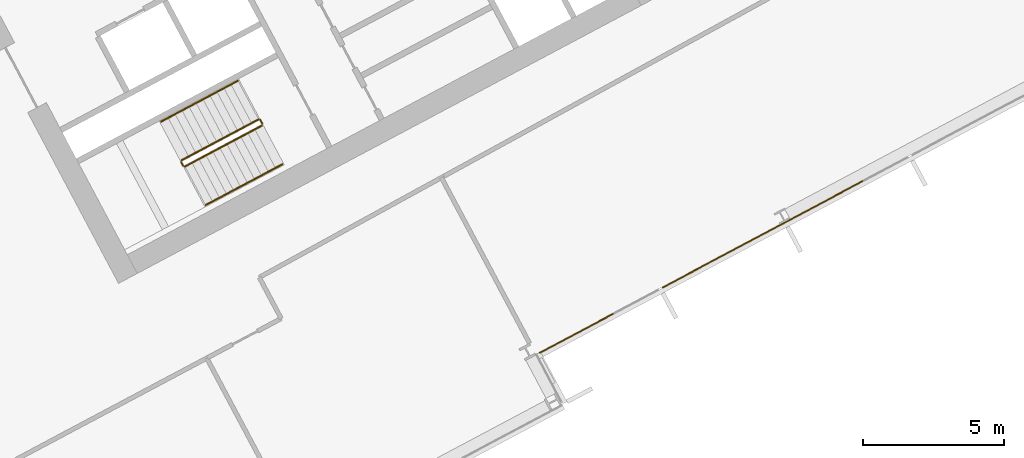
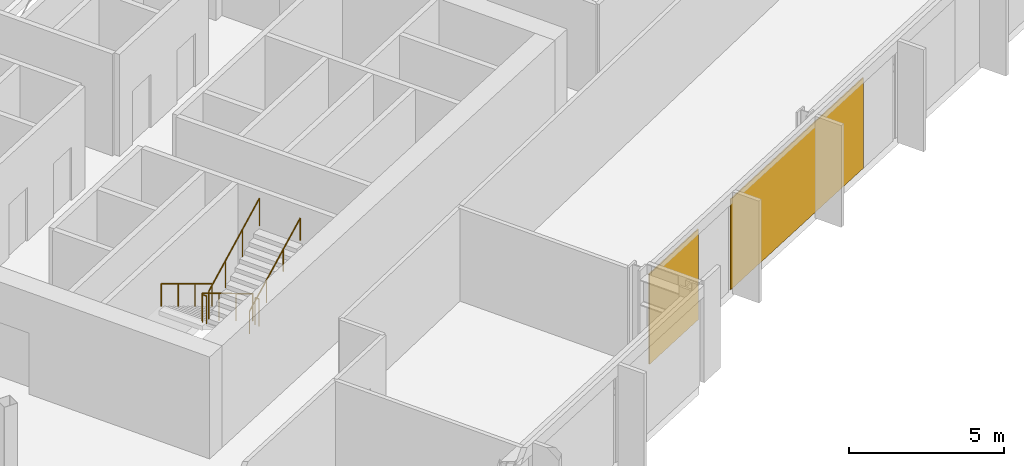
# One storey, part 25 of 28: 6 railings, 2 coverings, 1 element without a shape of its own.
"""IFC4 building model written with IfcOpenShell, lengths in metres."""

from ifc_helpers import new_model, si_unit, direction, frame, origin, origin_2d, place, context, subcontext, project, spatial, polyline, rectangle, outline, extrude, material, layer, layer_set, type_object, element, aggregate, save


model = new_model("IFC4")

# Units and contexts
model_context = context("Model", 3, precision=1e-05, world=origin(), true_north=direction((0.0, 1.0)))
body_context = subcontext(model_context, "Body", "Model", "MODEL_VIEW")
ifc_project = project(units=[si_unit("LENGTHUNIT", "METRE"), si_unit("AREAUNIT", "SQUARE_METRE"), si_unit("VOLUMEUNIT", "CUBIC_METRE"), si_unit("PLANEANGLEUNIT", "RADIAN"), si_unit("MASSUNIT", "GRAM", prefix="KILO")], contexts=[model_context])

# Site, building, storey
site_placement = place(None, origin())
site = spatial("IfcSite", under=ifc_project, at=site_placement, CompositionType="ELEMENT")
building_placement = place(site_placement, origin())
building = spatial("IfcBuilding", under=site, at=building_placement, Name="Cormorant Relay Tower", CompositionType="ELEMENT")
storey_placement = place(building_placement, frame((0.0, 0.0, 170.199951171875)))
storey = spatial("IfcBuildingStorey", under=building, at=storey_placement, Name="L36", CompositionType="ELEMENT", Elevation=170.199951171875)

# Curtain wall, coverings
ifc_material_1 = material(Name="Aluminium 6063-T6 anodised bronze", Category="aluminium")
ifc_layer_1 = layer(ifc_material_1, 0.199951171875)
ifc_layer_set_1 = layer_set([ifc_layer_1], Name="CW1 unitised bronze curtain wall with vertical fins")
curtain_wall_type = type_object("IfcCurtainWallType", Name="CW1 unitised bronze curtain wall with vertical fins", PredefinedType="NOTDEFINED", material=ifc_layer_set_1)
curtain_wall_placement = place(storey_placement, origin())
curtain_wall = element("IfcCurtainWall", 1, at=curtain_wall_placement, inside=storey, type_object=curtain_wall_type, Name="CW1 curtain wall 4", PredefinedType="NOTDEFINED")
ifc_material_2 = material(Name="Pale bronze anodised aluminium insulated panel", Category="aluminium")
ifc_layer_2 = layer(ifc_material_2, 0.0400390625)
ifc_layer_set_2 = layer_set([ifc_layer_2], Name="CW1 pale bronze insulated panel 40")
covering_type = type_object("IfcCoveringType", Name="CW1 pale bronze insulated panel 40", PredefinedType="CLADDING", material=ifc_layer_set_2)
covering_1_placement = place(storey_placement, frame((35.09765625, -2.879638671875, 0.0), z_axis=(0.0, 0.0, 1.0), x_axis=(0.882947592859, 0.469471562786, 0.0)))
covering_1 = element("IfcCovering", 2, at=covering_1_placement, type_object=covering_type, Name="CW1 panel S00", PredefinedType="CLADDING", context=body_context, shape_type="SweptSolid", body=[
    extrude(rectangle(XDim=2.97509765625, YDim=0.0400390625, at=origin_2d()), origin(), (0.0, 0.0, 1.0), 3.550048828125),
])
covering_2_placement = place(storey_placement, frame((41.686767578125, 0.623779296875, 0.0), z_axis=(0.0, 0.0, 1.0), x_axis=(0.882947592859, 0.469471562786, 0.0)))
covering_2 = element("IfcCovering", 3, at=covering_2_placement, type_object=covering_type, Name="CW1 panel S02", PredefinedType="CLADDING", context=body_context, shape_type="SweptSolid", body=[
    extrude(rectangle(XDim=8.050048828125, YDim=0.0400390625, at=origin_2d()), origin(), (0.0, 0.0, 1.0), 3.550048828125),
])
aggregate(curtain_wall, [covering_1, covering_2])

# Railings
ifc_material_3 = material(Name="Steel ASTM A572 Grade 50 (Fy 345 MPa)", Category="steel")
railing_type_1 = type_object("IfcRailingType", Name="Stair guard 1100", PredefinedType="GUARDRAIL", material=ifc_material_3)
railing_1_placement = place(storey_placement, frame((23.83837890625, 4.6904296875, 0.166748046875)))
element("IfcRailing", 4, at=railing_1_placement, inside=storey, type_object=railing_type_1, Name="L36 B1 stair guard 1", PredefinedType="GUARDRAIL", context=body_context, shape_type="SweptSolid", body=[
    extrude(outline(polyline([(0.022216796875, 0.00927734375), (0.00927734375, 0.022216796875), (-0.00927734375, 0.022216796875), (-0.022216796875, 0.00927734375), (-0.022216796875, -0.00927734375), (-0.00927734375, -0.022216796875), (0.00927734375, -0.022216796875), (0.022216796875, -0.00927734375), (0.022216796875, 0.00927734375)])), frame((0.0, 0.0, 1.076171875), z_axis=(-0.758713656843, -0.403434867536, 0.511462505542), x_axis=(0.469489399267, -0.882938108802, 0.0)), (0.0, 0.0, 1.0), 3.584228515625),
    extrude(outline(polyline([(0.019287109375, 0.008056640625), (0.008056640625, 0.019287109375), (-0.008056640625, 0.019287109375), (-0.019287109375, 0.008056640625), (-0.019287109375, -0.008056640625), (-0.008056640625, -0.019287109375), (0.008056640625, -0.019287109375), (0.019287109375, -0.008056640625), (0.019287109375, 0.008056640625)])), origin(), (0.0, 0.0, 1.0), 1.052001953125),
    extrude(outline(polyline([(0.019287109375, 0.008056640625), (0.008056640625, 0.019287109375), (-0.008056640625, 0.019287109375), (-0.019287109375, 0.008056640625), (-0.019287109375, -0.008056640625), (-0.008056640625, -0.019287109375), (0.008056640625, -0.019287109375), (0.019287109375, -0.008056640625), (0.019287109375, 0.008056640625)])), frame((-0.906494140625, -0.48193359375, 0.611083984375)), (0.0, 0.0, 1.0), 1.052001953125),
    extrude(outline(polyline([(0.019287109375, 0.008056640625), (0.008056640625, 0.019287109375), (-0.008056640625, 0.019287109375), (-0.019287109375, 0.008056640625), (-0.019287109375, -0.008056640625), (-0.008056640625, -0.019287109375), (0.008056640625, -0.019287109375), (0.019287109375, -0.008056640625), (0.019287109375, 0.008056640625)])), frame((-1.81298828125, -0.964111328125, 1.22216796875)), (0.0, 0.0, 1.0), 1.052001953125),
    extrude(outline(polyline([(0.019287109375, 0.008056640625), (0.008056640625, 0.019287109375), (-0.008056640625, 0.019287109375), (-0.019287109375, 0.008056640625), (-0.019287109375, -0.008056640625), (-0.008056640625, -0.019287109375), (0.008056640625, -0.019287109375), (0.019287109375, -0.008056640625), (0.019287109375, 0.008056640625)])), frame((-2.719482421875, -1.446044921875, 1.833251953125)), (0.0, 0.0, 1.0), 1.052001953125),
])
railing_2_placement = place(storey_placement, frame((21.09814453125, 3.1767578125, 2.0)))
element("IfcRailing", 5, at=railing_2_placement, inside=storey, type_object=railing_type_1, Name="L36 B1 stair guard 2", PredefinedType="GUARDRAIL", context=body_context, shape_type="SweptSolid", body=[
    extrude(outline(polyline([(0.022216796875, 0.00927734375), (0.00927734375, 0.022216796875), (-0.00927734375, 0.022216796875), (-0.022216796875, 0.00927734375), (-0.022216796875, -0.00927734375), (-0.00927734375, -0.022216796875), (0.00927734375, -0.022216796875), (0.022216796875, -0.00927734375), (0.022216796875, 0.00927734375)])), frame((0.0, 0.0, 1.076171875), z_axis=(0.469234640946, -0.883073525669, 0.0), x_axis=(0.883073525669, 0.469234640946, 0.0)), (0.0, 0.0, 1.0), 0.14990234375),
    extrude(outline(polyline([(0.019287109375, 0.008056640625), (0.008056640625, 0.019287109375), (-0.008056640625, 0.019287109375), (-0.019287109375, 0.008056640625), (-0.019287109375, -0.008056640625), (-0.008056640625, -0.019287109375), (0.008056640625, -0.019287109375), (0.019287109375, -0.008056640625), (0.019287109375, 0.008056640625)])), origin(), (0.0, 0.0, 1.0), 1.052001953125),
    extrude(outline(polyline([(0.019287109375, 0.008056640625), (0.008056640625, 0.019287109375), (-0.008056640625, 0.019287109375), (-0.019287109375, 0.008056640625), (-0.019287109375, -0.008056640625), (-0.008056640625, -0.019287109375), (0.008056640625, -0.019287109375), (0.019287109375, -0.008056640625), (0.019287109375, 0.008056640625)])), frame((0.0703125, -0.13232421875, 0.0)), (0.0, 0.0, 1.0), 1.052001953125),
])
railing_3_placement = place(storey_placement, frame((21.236083984375, 3.023681640625, 2.166748046875)))
element("IfcRailing", 6, at=railing_3_placement, inside=storey, type_object=railing_type_1, Name="L36 B1 stair guard 3", PredefinedType="GUARDRAIL", context=body_context, shape_type="SweptSolid", body=[
    extrude(outline(polyline([(0.022216796875, 0.00927734375), (0.00927734375, 0.022216796875), (-0.00927734375, 0.022216796875), (-0.022216796875, 0.00927734375), (-0.022216796875, -0.00927734375), (-0.00927734375, -0.022216796875), (0.00927734375, -0.022216796875), (0.022216796875, -0.00927734375), (0.022216796875, 0.00927734375)])), frame((0.0, 0.0, 1.076171875), z_axis=(0.758713656843, 0.403434867536, 0.511462505542), x_axis=(-0.469489399267, 0.882938108802, 0.0)), (0.0, 0.0, 1.0), 3.584228515625),
    extrude(outline(polyline([(0.019287109375, 0.008056640625), (0.008056640625, 0.019287109375), (-0.008056640625, 0.019287109375), (-0.019287109375, 0.008056640625), (-0.019287109375, -0.008056640625), (-0.008056640625, -0.019287109375), (0.008056640625, -0.019287109375), (0.019287109375, -0.008056640625), (0.019287109375, 0.008056640625)])), origin(), (0.0, 0.0, 1.0), 1.052001953125),
    extrude(outline(polyline([(0.019287109375, 0.008056640625), (0.008056640625, 0.019287109375), (-0.008056640625, 0.019287109375), (-0.019287109375, 0.008056640625), (-0.019287109375, -0.008056640625), (-0.008056640625, -0.019287109375), (0.008056640625, -0.019287109375), (0.019287109375, -0.008056640625), (0.019287109375, 0.008056640625)])), frame((0.906494140625, 0.48193359375, 0.611083984375)), (0.0, 0.0, 1.0), 1.052001953125),
    extrude(outline(polyline([(0.019287109375, 0.008056640625), (0.008056640625, 0.019287109375), (-0.008056640625, 0.019287109375), (-0.019287109375, 0.008056640625), (-0.019287109375, -0.008056640625), (-0.008056640625, -0.019287109375), (0.008056640625, -0.019287109375), (0.019287109375, -0.008056640625), (0.019287109375, 0.008056640625)])), frame((1.81298828125, 0.964111328125, 1.22216796875)), (0.0, 0.0, 1.0), 1.052001953125),
    extrude(outline(polyline([(0.019287109375, 0.008056640625), (0.008056640625, 0.019287109375), (-0.008056640625, 0.019287109375), (-0.019287109375, 0.008056640625), (-0.019287109375, -0.008056640625), (-0.008056640625, -0.019287109375), (0.008056640625, -0.019287109375), (0.019287109375, -0.008056640625), (0.019287109375, 0.008056640625)])), frame((2.719482421875, 1.446044921875, 1.833251953125)), (0.0, 0.0, 1.0), 1.052001953125),
])
railing_4_placement = place(storey_placement, frame((23.906005859375, 4.669677734375, 0.0)))
element("IfcRailing", 7, at=railing_4_placement, inside=storey, type_object=railing_type_1, Name="L36 B1 stair guard 4", PredefinedType="GUARDRAIL", context=body_context, shape_type="SweptSolid", body=[
    extrude(outline(polyline([(0.022216796875, 0.00927734375), (0.00927734375, 0.022216796875), (-0.00927734375, 0.022216796875), (-0.022216796875, 0.00927734375), (-0.022216796875, -0.00927734375), (-0.00927734375, -0.022216796875), (0.00927734375, -0.022216796875), (0.022216796875, -0.00927734375), (0.022216796875, 0.00927734375)])), frame((0.0, 0.0, 1.076171875), z_axis=(0.469234640946, -0.883073525669, 0.0), x_axis=(0.883073525669, 0.469234640946, 0.0)), (0.0, 0.0, 1.0), 0.14990234375),
    extrude(outline(polyline([(0.019287109375, 0.008056640625), (0.008056640625, 0.019287109375), (-0.008056640625, 0.019287109375), (-0.019287109375, 0.008056640625), (-0.019287109375, -0.008056640625), (-0.008056640625, -0.019287109375), (0.008056640625, -0.019287109375), (0.019287109375, -0.008056640625), (0.019287109375, 0.008056640625)])), origin(), (0.0, 0.0, 1.0), 1.052001953125),
    extrude(outline(polyline([(0.019287109375, 0.008056640625), (0.008056640625, 0.019287109375), (-0.008056640625, 0.019287109375), (-0.019287109375, 0.008056640625), (-0.019287109375, -0.008056640625), (-0.008056640625, -0.019287109375), (0.008056640625, -0.019287109375), (0.019287109375, -0.008056640625), (0.019287109375, 0.008056640625)])), frame((0.0703125, -0.13232421875, 0.0)), (0.0, 0.0, 1.0), 1.052001953125),
])
ifc_material_4 = material(Name="Steel ASTM A572 Grade 50 (Fy 345 MPa)", Category="steel")
railing_type_2 = type_object("IfcRailingType", Name="Stair handrail 900", PredefinedType="HANDRAIL", material=ifc_material_4)
railing_5_placement = place(storey_placement, frame((23.110595703125, 6.05908203125, 0.166748046875)))
element("IfcRailing", 8, at=railing_5_placement, inside=storey, type_object=railing_type_2, Name="L36 B1 stair handrail 1", PredefinedType="HANDRAIL", context=body_context, shape_type="SweptSolid", body=[
    extrude(outline(polyline([(0.022216796875, 0.00927734375), (0.00927734375, 0.022216796875), (-0.00927734375, 0.022216796875), (-0.022216796875, 0.00927734375), (-0.022216796875, -0.00927734375), (-0.00927734375, -0.022216796875), (0.00927734375, -0.022216796875), (0.022216796875, -0.00927734375), (0.022216796875, 0.00927734375)])), frame((0.0, 0.0, 0.8759765625), z_axis=(-0.758713656843, -0.403434867536, 0.511462505542), x_axis=(0.469489399267, -0.882938108802, 0.0)), (0.0, 0.0, 1.0), 3.584228515625),
    extrude(outline(polyline([(0.019287109375, 0.008056640625), (0.008056640625, 0.019287109375), (-0.008056640625, 0.019287109375), (-0.019287109375, 0.008056640625), (-0.019287109375, -0.008056640625), (-0.008056640625, -0.019287109375), (0.008056640625, -0.019287109375), (0.019287109375, -0.008056640625), (0.019287109375, 0.008056640625)])), origin(), (0.0, 0.0, 1.0), 0.851806640625),
    extrude(outline(polyline([(0.019287109375, 0.008056640625), (0.008056640625, 0.019287109375), (-0.008056640625, 0.019287109375), (-0.019287109375, 0.008056640625), (-0.019287109375, -0.008056640625), (-0.008056640625, -0.019287109375), (0.008056640625, -0.019287109375), (0.019287109375, -0.008056640625), (0.019287109375, 0.008056640625)])), frame((-0.906494140625, -0.48193359375, 0.611083984375)), (0.0, 0.0, 1.0), 0.851806640625),
    extrude(outline(polyline([(0.019287109375, 0.008056640625), (0.008056640625, 0.019287109375), (-0.008056640625, 0.019287109375), (-0.019287109375, 0.008056640625), (-0.019287109375, -0.008056640625), (-0.008056640625, -0.019287109375), (0.008056640625, -0.019287109375), (0.019287109375, -0.008056640625), (0.019287109375, 0.008056640625)])), frame((-1.81298828125, -0.964111328125, 1.22216796875)), (0.0, 0.0, 1.0), 0.851806640625),
    extrude(outline(polyline([(0.019287109375, 0.008056640625), (0.008056640625, 0.019287109375), (-0.008056640625, 0.019287109375), (-0.019287109375, 0.008056640625), (-0.019287109375, -0.008056640625), (-0.008056640625, -0.019287109375), (0.008056640625, -0.019287109375), (0.019287109375, -0.008056640625), (0.019287109375, 0.008056640625)])), frame((-2.719482421875, -1.446044921875, 1.833251953125)), (0.0, 0.0, 1.0), 0.851806640625),
])
railing_6_placement = place(storey_placement, frame((21.9638671875, 1.6552734375, 2.166748046875)))
element("IfcRailing", 9, at=railing_6_placement, inside=storey, type_object=railing_type_2, Name="L36 B1 stair handrail 2", PredefinedType="HANDRAIL", context=body_context, shape_type="SweptSolid", body=[
    extrude(outline(polyline([(0.022216796875, 0.00927734375), (0.00927734375, 0.022216796875), (-0.00927734375, 0.022216796875), (-0.022216796875, 0.00927734375), (-0.022216796875, -0.00927734375), (-0.00927734375, -0.022216796875), (0.00927734375, -0.022216796875), (0.022216796875, -0.00927734375), (0.022216796875, 0.00927734375)])), frame((0.0, 0.0, 0.8759765625), z_axis=(0.758734504837, 0.403377838015, 0.511476559549), x_axis=(-0.469427602063, 0.882970965786, 0.0)), (0.0, 0.0, 1.0), 3.584228515625),
    extrude(outline(polyline([(0.019287109375, 0.008056640625), (0.008056640625, 0.019287109375), (-0.008056640625, 0.019287109375), (-0.019287109375, 0.008056640625), (-0.019287109375, -0.008056640625), (-0.008056640625, -0.019287109375), (0.008056640625, -0.019287109375), (0.019287109375, -0.008056640625), (0.019287109375, 0.008056640625)])), origin(), (0.0, 0.0, 1.0), 0.851806640625),
    extrude(outline(polyline([(0.019287109375, 0.008056640625), (0.008056640625, 0.019287109375), (-0.008056640625, 0.019287109375), (-0.019287109375, 0.008056640625), (-0.019287109375, -0.008056640625), (-0.008056640625, -0.019287109375), (0.008056640625, -0.019287109375), (0.019287109375, -0.008056640625), (0.019287109375, 0.008056640625)])), frame((0.906494140625, 0.48193359375, 0.611083984375)), (0.0, 0.0, 1.0), 0.851806640625),
    extrude(outline(polyline([(0.019287109375, 0.008056640625), (0.008056640625, 0.019287109375), (-0.008056640625, 0.019287109375), (-0.019287109375, 0.008056640625), (-0.019287109375, -0.008056640625), (-0.008056640625, -0.019287109375), (0.008056640625, -0.019287109375), (0.019287109375, -0.008056640625), (0.019287109375, 0.008056640625)])), frame((1.81298828125, 0.9638671875, 1.22216796875)), (0.0, 0.0, 1.0), 0.851806640625),
    extrude(outline(polyline([(0.019287109375, 0.008056640625), (0.008056640625, 0.019287109375), (-0.008056640625, 0.019287109375), (-0.019287109375, 0.008056640625), (-0.019287109375, -0.008056640625), (-0.008056640625, -0.019287109375), (0.008056640625, -0.019287109375), (0.019287109375, -0.008056640625), (0.019287109375, 0.008056640625)])), frame((2.719482421875, 1.44580078125, 1.833251953125)), (0.0, 0.0, 1.0), 0.851806640625),
])

save(model, "model.ifc")
